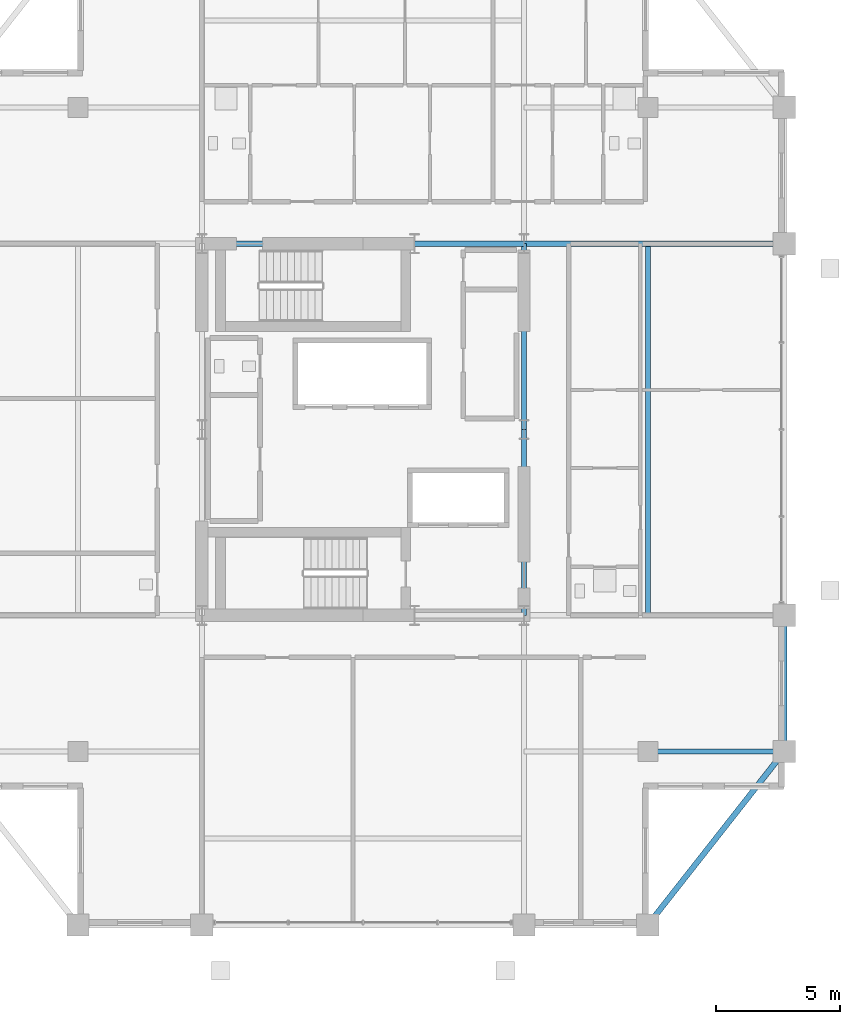
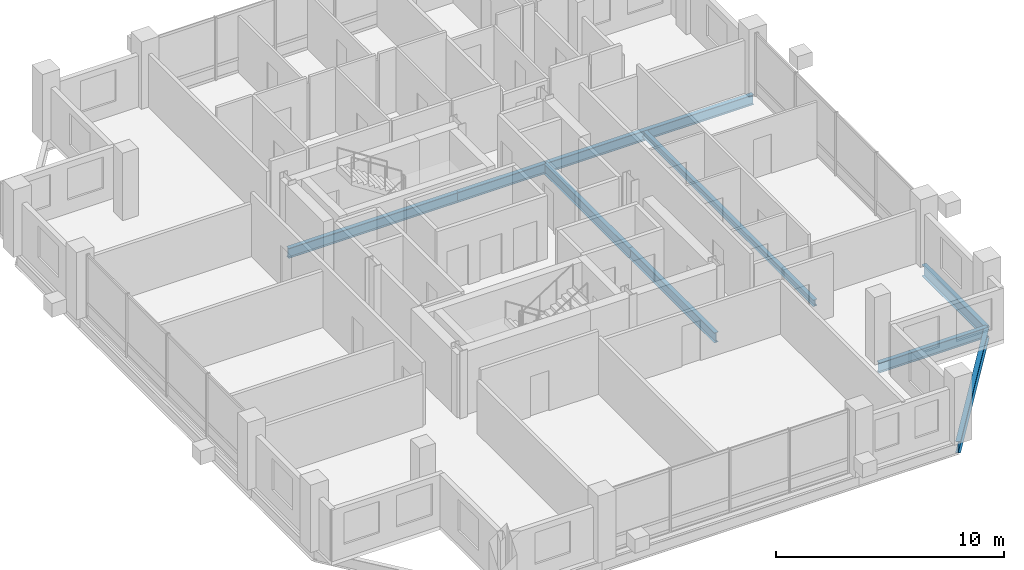
# One storey, part 9 of 21: 9 beams.
"""IFC4 building model written with IfcOpenShell, lengths in metres."""

from ifc_helpers import new_model, si_unit, direction, frame, origin, origin_2d, place, context, subcontext, project, spatial, i_section, extrude, material, material_profile, profile_set, type_object, element, save


model = new_model("IFC4")

# Units and contexts
model_context = context("Model", 3, precision=1e-05, world=origin(), true_north=direction((0.0, 1.0)))
body_context = subcontext(model_context, "Body", "Model", "MODEL_VIEW")
ifc_project = project(units=[si_unit("LENGTHUNIT", "METRE"), si_unit("AREAUNIT", "SQUARE_METRE"), si_unit("VOLUMEUNIT", "CUBIC_METRE"), si_unit("PLANEANGLEUNIT", "RADIAN"), si_unit("MASSUNIT", "GRAM", prefix="KILO")], contexts=[model_context])

# Site, building, storey
site_placement = place(None, origin())
site = spatial("IfcSite", under=ifc_project, at=site_placement, CompositionType="ELEMENT")
building_placement = place(site_placement, origin())
building = spatial("IfcBuilding", under=site, at=building_placement, Name="Barlavira Tower and Art Museum", CompositionType="ELEMENT")
storey_placement = place(building_placement, frame((0.0, 0.0, 276.300048828125)))
storey = spatial("IfcBuildingStorey", under=building, at=storey_placement, Name="L72", CompositionType="ELEMENT", Elevation=276.300048828125)

# Beams
ifc_material = material(Name="Steel S355", Category="steel")
ifc_material_profile_1 = material_profile(ifc_material, i_section(OverallWidth=0.22998046875, OverallDepth=0.616943359375, WebThickness=0.01318359375, FlangeThickness=0.022216796875, at=origin_2d()), Name="W610x140.0")
ifc_profile_set_1 = profile_set([ifc_material_profile_1], Name="Steel S355")
beam_type_1 = type_object("IfcBeamType", Name="Upper Shaft Spandrel Edge Beam W610x140 Steel S355", PredefinedType="SPANDREL", material=ifc_profile_set_1)
beam_1_placement = place(storey_placement, frame((11.5, -20.0, -0.528564453125), z_axis=(0.617821551932, 0.786318338822, 0.0), x_axis=(-0.786318338822, 0.617821551932, 0.0)))
element("IfcBeam", 1, at=beam_1_placement, inside=storey, type_object=beam_type_1, Name="L72 Spandrel 4", PredefinedType="SPANDREL", context=body_context, shape_type="SweptSolid", body=[
    extrude(i_section(OverallWidth=0.22998046875, OverallDepth=0.616943359375, WebThickness=0.01318359375, FlangeThickness=0.022216796875, at=origin_2d()), origin(), (0.0, 0.0, 1.0), 8.90234375),
])
beam_2_placement = place(storey_placement, frame((17.0, -13.0, -0.528564453125), z_axis=(0.0, 1.0, 0.0), x_axis=(-1.0, 0.0, 0.0)))
element("IfcBeam", 2, at=beam_2_placement, inside=storey, type_object=beam_type_1, Name="L72 Spandrel 5", PredefinedType="SPANDREL", context=body_context, shape_type="SweptSolid", body=[
    extrude(i_section(OverallWidth=0.22998046875, OverallDepth=0.616943359375, WebThickness=0.01318359375, FlangeThickness=0.022216796875, at=origin_2d()), origin(), (0.0, 0.0, 1.0), 5.5),
])
ifc_material_profile_2 = material_profile(ifc_material, i_section(OverallWidth=0.2109375, OverallDepth=0.5390625, WebThickness=0.01171875, FlangeThickness=0.018798828125, at=origin_2d()), Name="W530x109.0")
ifc_profile_set_2 = profile_set([ifc_material_profile_2], Name="Steel S355")
beam_type_2 = type_object("IfcBeamType", Name="Zone 3-4 Primary Floor Girder W530x109 Steel S355", PredefinedType="BEAM", material=ifc_profile_set_2)
beam_3_placement = place(storey_placement, frame((-6.5, 7.5, -0.489501953125), z_axis=(1.0, 0.0, 0.0), x_axis=(0.0, 1.0, 0.0)))
element("IfcBeam", 3, at=beam_3_placement, inside=storey, type_object=beam_type_2, Name="L72 Girder C-N1", PredefinedType="BEAM", context=body_context, shape_type="SweptSolid", body=[
    extrude(i_section(OverallWidth=0.2109375, OverallDepth=0.5390625, WebThickness=0.01171875, FlangeThickness=0.018798828125, at=origin_2d()), origin(), (0.0, 0.0, 1.0), 8.580078125),
])
beam_4_placement = place(storey_placement, frame((2.080078125, 7.5, -0.489501953125), z_axis=(1.0, 0.0, 0.0), x_axis=(0.0, 1.0, 0.0)))
element("IfcBeam", 4, at=beam_4_placement, inside=storey, type_object=beam_type_2, Name="L72 Girder C-N2", PredefinedType="BEAM", context=body_context, shape_type="SweptSolid", body=[
    extrude(i_section(OverallWidth=0.2109375, OverallDepth=0.5390625, WebThickness=0.01171875, FlangeThickness=0.018798828125, at=origin_2d()), origin(), (0.0, 0.0, 1.0), 4.419921875),
])
for number, where, z_axis, x_axis, name in (
    (5, (6.5, -7.5, -0.489501953125), (0.0, 1.0, 0.0), (-1.0, 0.0, 0.0), "L72 Girder C-E1"),
    (6, (6.5, 0.0, -0.489501953125), (0.0, 1.0, 0.0), (-1.0, 0.0, 0.0), "L72 Girder C-E2"),
):
    element("IfcBeam", number, at=place(storey_placement, frame(where, z_axis=z_axis, x_axis=x_axis)), inside=storey, type_object=beam_type_2, Name=name, PredefinedType="BEAM", context=body_context, shape_type="SweptSolid", body=[
        extrude(i_section(OverallWidth=0.2109375, OverallDepth=0.5390625, WebThickness=0.01171875, FlangeThickness=0.018798828125, at=origin_2d()), origin(), (0.0, 0.0, 1.0), 7.5),
    ])
beam_5_placement = place(storey_placement, frame((6.5, 7.5, -0.489501953125), z_axis=(1.0, 0.0, 0.0), x_axis=(0.0, 1.0, 0.0)))
element("IfcBeam", 7, at=beam_5_placement, inside=storey, type_object=beam_type_2, Name="L72 Girder R-E2", PredefinedType="BEAM", context=body_context, shape_type="SweptSolid", body=[
    extrude(i_section(OverallWidth=0.2109375, OverallDepth=0.5390625, WebThickness=0.01171875, FlangeThickness=0.018798828125, at=origin_2d()), origin(), (0.0, 0.0, 1.0), 10.5),
])
beam_6_placement = place(storey_placement, frame((11.5, -13.0, -0.489501953125), z_axis=(1.0, 0.0, 0.0), x_axis=(0.0, 1.0, 0.0)))
element("IfcBeam", 8, at=beam_6_placement, inside=storey, type_object=beam_type_2, Name="L72 Girder I-S4", PredefinedType="BEAM", context=body_context, shape_type="SweptSolid", body=[
    extrude(i_section(OverallWidth=0.2109375, OverallDepth=0.5390625, WebThickness=0.01171875, FlangeThickness=0.018798828125, at=origin_2d()), origin(), (0.0, 0.0, 1.0), 5.5),
])
ifc_material_profile_3 = material_profile(ifc_material, i_section(OverallWidth=0.202880859375, OverallDepth=0.346923828125, WebThickness=0.0078125, FlangeThickness=0.013427734375, at=origin_2d()), Name="W360x64.0")
ifc_profile_set_3 = profile_set([ifc_material_profile_3], Name="Steel S355")
beam_type_3 = type_object("IfcBeamType", Name="Zone 4 Composite Floor Joist W360x64 Steel S355", PredefinedType="JOIST", material=ifc_profile_set_3)
beam_7_placement = place(storey_placement, frame((11.5, -7.5, -0.3935546875), z_axis=(0.0, 1.0, 0.0), x_axis=(-1.0, 0.0, 0.0)))
element("IfcBeam", 9, at=beam_7_placement, inside=storey, type_object=beam_type_3, Name="L72 Joist W2", PredefinedType="JOIST", context=body_context, shape_type="SweptSolid", body=[
    extrude(i_section(OverallWidth=0.202880859375, OverallDepth=0.346923828125, WebThickness=0.0078125, FlangeThickness=0.013427734375, at=origin_2d()), origin(), (0.0, 0.0, 1.0), 15.0),
])

save(model, "model.ifc")
